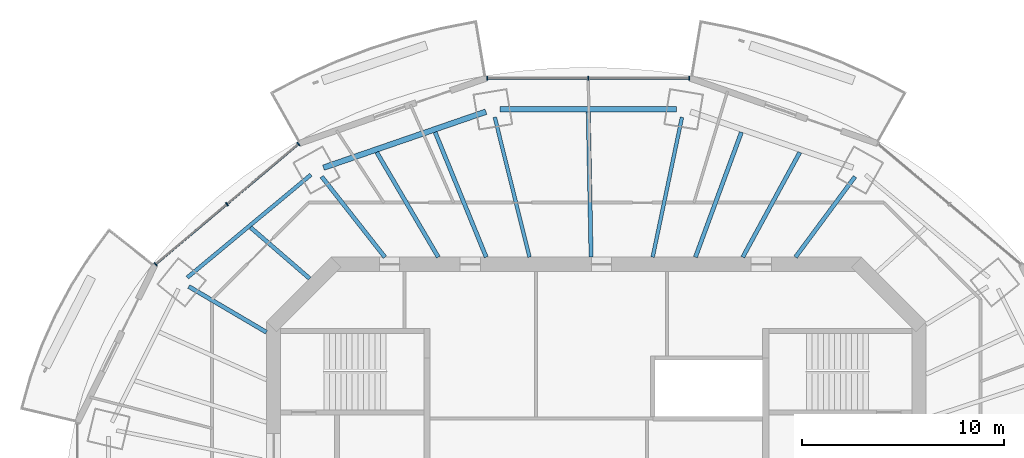
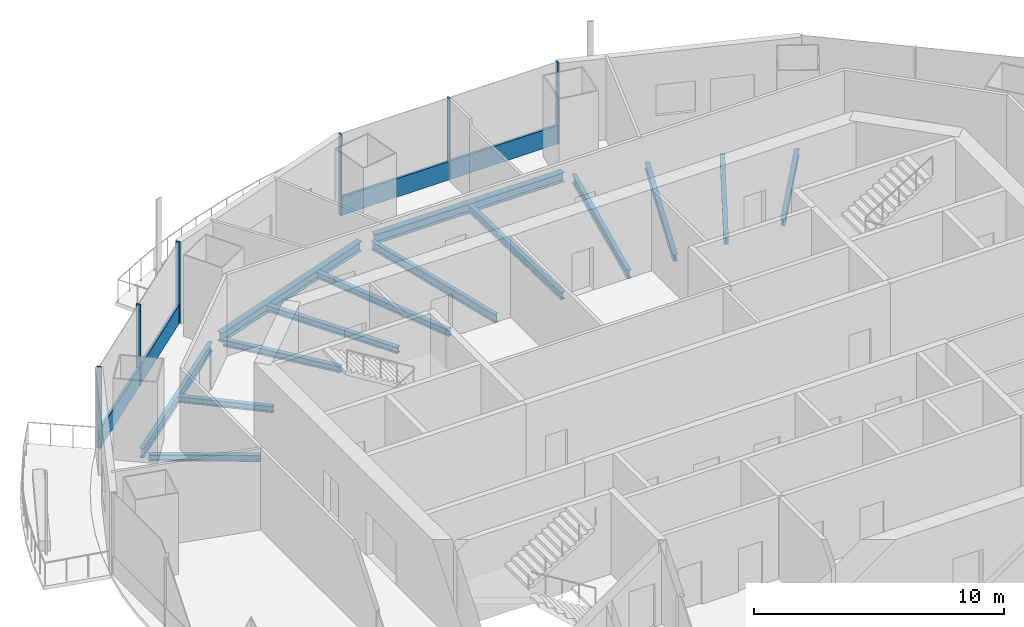
# One storey, part 5 of 16: 14 beams, 8 members, 2 elements without a shape of their own.
"""IFC4 building model written with IfcOpenShell, lengths in metres."""

from ifc_helpers import new_model, si_unit, direction, frame, origin, origin_2d, place, context, subcontext, project, spatial, rectangle, i_section, extrude, material, material_profile, profile_set, type_object, element, aggregate, save


model = new_model("IFC4")

# Units and contexts
model_context = context("Model", 3, precision=1e-05, world=origin(), true_north=direction((0.0, 1.0)))
body_context = subcontext(model_context, "Body", "Model", "MODEL_VIEW")
ifc_project = project(units=[si_unit("LENGTHUNIT", "METRE"), si_unit("AREAUNIT", "SQUARE_METRE"), si_unit("VOLUMEUNIT", "CUBIC_METRE"), si_unit("PLANEANGLEUNIT", "RADIAN"), si_unit("MASSUNIT", "GRAM", prefix="KILO")], contexts=[model_context])

# Site, building, storey
site_placement = place(None, origin())
site = spatial("IfcSite", under=ifc_project, at=site_placement, CompositionType="ELEMENT")
building_placement = place(site_placement, origin())
building = spatial("IfcBuilding", under=site, at=building_placement, Name="Marenthal Gate Tower", CompositionType="ELEMENT")
storey_placement = place(building_placement, frame((0.0, 0.0, 375.800048828125)))
storey = spatial("IfcBuildingStorey", under=building, at=storey_placement, Name="L85", CompositionType="ELEMENT", Elevation=375.800048828125)

# Curtain wall, members
ifc_material_1 = material(Name="Aluminium and glass", Category="aluminium")
curtain_wall_type = type_object("IfcCurtainWallType", Name="Curtain wall typical high", PredefinedType="NOTDEFINED", material=ifc_material_1)
curtain_wall_1_placement = place(storey_placement, origin())
curtain_wall_1 = element("IfcCurtainWall", 1, at=curtain_wall_1_placement, inside=storey, type_object=curtain_wall_type, Name="Curtain wall L85 bay 4", PredefinedType="NOTDEFINED")
ifc_material_2 = material(Name="Aluminium", Category="aluminium")
ifc_material_profile_1 = material_profile(ifc_material_2, rectangle(XDim=0.199951171875, YDim=0.06005859375, at=origin_2d()), Name="60x200 aluminium mullion")
ifc_profile_set_1 = profile_set([ifc_material_profile_1], Name="Aluminium")
member_type_1 = type_object("IfcMemberType", Name="Mullion 60x200 typical high", PredefinedType="MULLION", material=ifc_profile_set_1)
member_1_placement = place(storey_placement, frame((4.607666015625, 22.227294921875, 0.0), z_axis=(0.0, 0.0, 1.0), x_axis=(0.0, -1.0, 0.0)))
member_1 = element("IfcMember", 2, at=member_1_placement, type_object=member_type_1, Name="Mullion L85 bay 4.1", PredefinedType="MULLION", context=body_context, shape_type="SweptSolid", body=[
    extrude(rectangle(XDim=0.199951171875, YDim=0.06005859375, at=origin_2d()), origin(), (0.0, 0.0, 1.0), 3.969970703125),
])
member_2_placement = place(storey_placement, frame((-0.39990234375, 22.227294921875, 0.0), z_axis=(0.0, 0.0, 1.0), x_axis=(0.0, -1.0, 0.0)))
member_2 = element("IfcMember", 3, at=member_2_placement, type_object=member_type_1, Name="Mullion L85 bay 4.2", PredefinedType="MULLION", context=body_context, shape_type="SweptSolid", body=[
    extrude(rectangle(XDim=0.199951171875, YDim=0.06005859375, at=origin_2d()), origin(), (0.0, 0.0, 1.0), 3.969970703125),
])
member_3_placement = place(storey_placement, frame((-5.40771484375, 22.227294921875, 0.0), z_axis=(0.0, 0.0, 1.0), x_axis=(0.0, -1.0, 0.0)))
member_3 = element("IfcMember", 4, at=member_3_placement, type_object=member_type_1, Name="Mullion L85 bay 4.3", PredefinedType="MULLION", context=body_context, shape_type="SweptSolid", body=[
    extrude(rectangle(XDim=0.199951171875, YDim=0.06005859375, at=origin_2d()), origin(), (0.0, 0.0, 1.0), 3.969970703125),
])

curtain_wall_2_placement = place(storey_placement, origin())
curtain_wall_2 = element("IfcCurtainWall", 5, at=curtain_wall_2_placement, inside=storey, type_object=curtain_wall_type, Name="Curtain wall L85 bay 6", PredefinedType="NOTDEFINED")
member_4_placement = place(storey_placement, frame((-14.768798828125, 18.9609375, 0.0), z_axis=(0.0, 0.0, 1.0), x_axis=(0.64413508453, -0.764911754961, 0.0)))
member_4 = element("IfcMember", 6, at=member_4_placement, type_object=member_type_1, Name="Mullion L85 bay 6.1", PredefinedType="MULLION", context=body_context, shape_type="SweptSolid", body=[
    extrude(rectangle(XDim=0.199951171875, YDim=0.06005859375, at=origin_2d()), origin(), (0.0, 0.0, 1.0), 3.969970703125),
])
member_5_placement = place(storey_placement, frame((-18.30810546875, 15.980712890625, 0.0), z_axis=(0.0, 0.0, 1.0), x_axis=(0.64413508453, -0.764911754961, 0.0)))
member_5 = element("IfcMember", 7, at=member_5_placement, type_object=member_type_1, Name="Mullion L85 bay 6.2", PredefinedType="MULLION", context=body_context, shape_type="SweptSolid", body=[
    extrude(rectangle(XDim=0.199951171875, YDim=0.06005859375, at=origin_2d()), origin(), (0.0, 0.0, 1.0), 3.969970703125),
])
member_6_placement = place(storey_placement, frame((-21.84716796875, 13.000244140625, 0.0), z_axis=(0.0, 0.0, 1.0), x_axis=(0.64413508453, -0.764911754961, 0.0)))
member_6 = element("IfcMember", 8, at=member_6_placement, type_object=member_type_1, Name="Mullion L85 bay 6.3", PredefinedType="MULLION", context=body_context, shape_type="SweptSolid", body=[
    extrude(rectangle(XDim=0.199951171875, YDim=0.06005859375, at=origin_2d()), origin(), (0.0, 0.0, 1.0), 3.969970703125),
])

# Member
ifc_material_3 = material(Name="Aluminium", Category="aluminium")
ifc_material_profile_2 = material_profile(ifc_material_3, rectangle(XDim=0.1201171875, YDim=0.89990234375, at=origin_2d()), Name="120x900 aluminium transom")
ifc_profile_set_2 = profile_set([ifc_material_profile_2], Name="Aluminium")
member_type_2 = type_object("IfcMemberType", Name="Transom 120x900 typical high", PredefinedType="USERDEFINED", material=ifc_profile_set_2)
member_7_placement = place(storey_placement, frame((4.57763671875, 22.227294921875, 0.449951171875), z_axis=(-1.0, 0.0, 0.0), x_axis=(0.0, -1.0, 0.0)))
member_7 = element("IfcMember", 9, at=member_7_placement, type_object=member_type_2, Name="Transom L85 bay 4", ObjectType="TRANSOM", PredefinedType="USERDEFINED", context=body_context, shape_type="SweptSolid", body=[
    extrude(rectangle(XDim=0.1201171875, YDim=0.89990234375, at=origin_2d()), origin(), (0.0, 0.0, 1.0), 9.955322265625),
])

aggregate(curtain_wall_1, [member_1, member_2, member_3, member_7])

member_8_placement = place(storey_placement, frame((-14.791748046875, 18.941650390625, 0.449951171875), z_axis=(-0.764909132267, -0.644138198972, 0.0), x_axis=(0.644138198972, -0.764909132267, 0.0)))
member_8 = element("IfcMember", 10, at=member_8_placement, type_object=member_type_2, Name="Transom L85 bay 6", ObjectType="TRANSOM", PredefinedType="USERDEFINED", context=body_context, shape_type="SweptSolid", body=[
    extrude(rectangle(XDim=0.1201171875, YDim=0.89990234375, at=origin_2d()), origin(), (0.0, 0.0, 1.0), 9.19384765625),
])

aggregate(curtain_wall_2, [member_4, member_5, member_6, member_8])

# Beams
ifc_material_4 = material(Name="Steel S355", Category="steel")
ifc_material_profile_3 = material_profile(ifc_material_4, i_section(OverallWidth=0.202880859375, OverallDepth=0.302001953125, WebThickness=0.007568359375, FlangeThickness=0.01318359375, FilletRadius=0.0126953125, at=origin_2d()), Name="W310X60")
ifc_profile_set_3 = profile_set([ifc_material_profile_3], Name="Steel S355")
beam_type_1 = type_object("IfcBeamType", Name="W310X60 beam", PredefinedType="BEAM", material=ifc_profile_set_3)
beam_1_placement = place(storey_placement, frame((10.087646484375, 18.5458984375, -0.3310546875), z_axis=(-0.477822243246, -0.878456546369, 0.0), x_axis=(0.878456546369, -0.477822243246, 0.0)))
element("IfcBeam", 11, at=beam_1_placement, inside=storey, type_object=beam_type_1, Name="BM-L85-20", PredefinedType="BEAM", context=body_context, shape_type="SweptSolid", body=[
    extrude(i_section(OverallWidth=0.202880859375, OverallDepth=0.302001953125, WebThickness=0.007568359375, FlangeThickness=0.01318359375, FilletRadius=0.0126953125, at=origin_2d()), origin(), (0.0, 0.0, 1.0), 5.914794921875),
])
beam_2_placement = place(storey_placement, frame((-17.13916015625, 14.821533203125, -0.3310546875), z_axis=(0.756412035056, -0.654095431281, 0.0), x_axis=(0.654095431281, 0.756412035056, 0.0)))
element("IfcBeam", 12, at=beam_2_placement, inside=storey, type_object=beam_type_1, Name="BM-L85-25", PredefinedType="BEAM", context=body_context, shape_type="SweptSolid", body=[
    extrude(i_section(OverallWidth=0.202880859375, OverallDepth=0.302001953125, WebThickness=0.007568359375, FlangeThickness=0.01318359375, FilletRadius=0.0126953125, at=origin_2d()), origin(), (0.0, 0.0, 1.0), 3.875),
])
ifc_material_5 = material(Name="Steel S355", Category="steel")
ifc_material_profile_4 = material_profile(ifc_material_5, i_section(OverallWidth=0.205078125, OverallDepth=0.31005859375, WebThickness=0.009521484375, FlangeThickness=0.016357421875, FilletRadius=0.0126953125, at=origin_2d()), Name="W310X74")
ifc_profile_set_4 = profile_set([ifc_material_profile_4], Name="Steel S355")
beam_type_2 = type_object("IfcBeamType", Name="W310X74 beam", PredefinedType="BEAM", material=ifc_profile_set_4)
beam_3_placement = place(storey_placement, frame((12.82568359375, 17.3388671875, -0.3349609375), z_axis=(-0.594712000132, -0.80393882659, 0.0), x_axis=(0.80393882659, -0.594712000132, 0.0)))
element("IfcBeam", 13, at=beam_3_placement, inside=storey, type_object=beam_type_2, Name="BM-L85-03", PredefinedType="BEAM", context=body_context, shape_type="SweptSolid", body=[
    extrude(i_section(OverallWidth=0.205078125, OverallDepth=0.31005859375, WebThickness=0.009521484375, FlangeThickness=0.016357421875, FilletRadius=0.0126953125, at=origin_2d()), origin(), (0.0, 0.0, 1.0), 4.96142578125),
])
beam_4_placement = place(storey_placement, frame((-13.614013671875, 17.343017578125, -0.3349609375), z_axis=(0.617483772251, -0.786583619844, 0.0), x_axis=(0.786583619844, 0.617483772251, 0.0)))
element("IfcBeam", 14, at=beam_4_placement, inside=storey, type_object=beam_type_2, Name="BM-L85-06", PredefinedType="BEAM", context=body_context, shape_type="SweptSolid", body=[
    extrude(i_section(OverallWidth=0.205078125, OverallDepth=0.31005859375, WebThickness=0.009521484375, FlangeThickness=0.016357421875, FilletRadius=0.0126953125, at=origin_2d()), origin(), (0.0, 0.0, 1.0), 5.076171875),
])
beam_5_placement = place(storey_placement, frame((-20.20361328125, 11.8955078125, -0.3349609375), z_axis=(0.86171238828, -0.507397043631, 0.0), x_axis=(0.507397043631, 0.86171238828, 0.0)))
element("IfcBeam", 15, at=beam_5_placement, inside=storey, type_object=beam_type_2, Name="BM-L85-07", PredefinedType="BEAM", context=body_context, shape_type="SweptSolid", body=[
    extrude(i_section(OverallWidth=0.205078125, OverallDepth=0.31005859375, WebThickness=0.009521484375, FlangeThickness=0.016357421875, FilletRadius=0.0126953125, at=origin_2d()), origin(), (0.0, 0.0, 1.0), 4.471923828125),
])
beam_6_placement = place(storey_placement, frame((7.194091796875, 19.54296875, -0.3349609375), z_axis=(-0.345465326996, -0.938431514733, 0.0), x_axis=(0.938431514733, -0.345465326996, 0.0)))
element("IfcBeam", 16, at=beam_6_placement, inside=storey, type_object=beam_type_2, Name="BM-L85-21", PredefinedType="BEAM", context=body_context, shape_type="SweptSolid", body=[
    extrude(i_section(OverallWidth=0.205078125, OverallDepth=0.31005859375, WebThickness=0.009521484375, FlangeThickness=0.016357421875, FilletRadius=0.0126953125, at=origin_2d()), origin(), (0.0, 0.0, 1.0), 6.59912109375),
])
beam_7_placement = place(storey_placement, frame((-7.989501953125, 19.544677734375, -0.3349609375), z_axis=(0.378387082032, -0.92564745781, 0.0), x_axis=(0.92564745781, 0.378387082032, 0.0)))
element("IfcBeam", 17, at=beam_7_placement, inside=storey, type_object=beam_type_2, Name="BM-L85-23", PredefinedType="BEAM", context=body_context, shape_type="SweptSolid", body=[
    extrude(i_section(OverallWidth=0.205078125, OverallDepth=0.31005859375, WebThickness=0.009521484375, FlangeThickness=0.016357421875, FilletRadius=0.0126953125, at=origin_2d()), origin(), (0.0, 0.0, 1.0), 6.692138671875),
])
beam_8_placement = place(storey_placement, frame((-10.88330078125, 18.547607421875, -0.3349609375), z_axis=(0.506088552067, -0.862481522971, 0.0), x_axis=(0.862481522971, 0.506088552067, 0.0)))
element("IfcBeam", 18, at=beam_8_placement, inside=storey, type_object=beam_type_2, Name="BM-L85-24", PredefinedType="BEAM", context=body_context, shape_type="SweptSolid", body=[
    extrude(i_section(OverallWidth=0.205078125, OverallDepth=0.31005859375, WebThickness=0.009521484375, FlangeThickness=0.016357421875, FilletRadius=0.0126953125, at=origin_2d()), origin(), (0.0, 0.0, 1.0), 6.026123046875),
])
ifc_material_6 = material(Name="Steel S355", Category="steel")
ifc_material_profile_5 = material_profile(ifc_material_6, i_section(OverallWidth=0.205078125, OverallDepth=0.35302734375, WebThickness=0.009521484375, FlangeThickness=0.016845703125, FilletRadius=0.014892578125, at=origin_2d()), Name="W360X79")
ifc_profile_set_5 = profile_set([ifc_material_profile_5], Name="Steel S355")
beam_type_3 = type_object("IfcBeamType", Name="W360X79 beam", PredefinedType="BEAM", material=ifc_profile_set_5)
beam_9_placement = place(storey_placement, frame((-0.397216796875, 20.5380859375, -0.3564453125), z_axis=(0.019322524597, -0.999813302594, 0.0), x_axis=(0.999813302594, 0.019322524597, 0.0)))
element("IfcBeam", 19, at=beam_9_placement, inside=storey, type_object=beam_type_3, Name="BM-L85-22", PredefinedType="BEAM", context=body_context, shape_type="SweptSolid", body=[
    extrude(i_section(OverallWidth=0.205078125, OverallDepth=0.35302734375, WebThickness=0.009521484375, FlangeThickness=0.016845703125, FilletRadius=0.014892578125, at=origin_2d()), origin(), (0.0, 0.0, 1.0), 7.189208984375),
])
ifc_material_7 = material(Name="Steel S355", Category="steel")
ifc_material_profile_6 = material_profile(ifc_material_7, i_section(OverallWidth=0.180908203125, OverallDepth=0.4169921875, WebThickness=0.010986328125, FlangeThickness=0.018310546875, FilletRadius=0.01025390625, at=origin_2d()), Name="W410X85")
ifc_profile_set_6 = profile_set([ifc_material_profile_6], Name="Steel S355")
beam_type_4 = type_object("IfcBeamType", Name="W410X85 beam", PredefinedType="BEAM", material=ifc_profile_set_6)
beam_10_placement = place(storey_placement, frame((4.247314453125, 20.28515625, -0.388427734375), z_axis=(-0.204947598704, -0.978772947003, 0.0), x_axis=(0.978772947003, -0.204947598704, 0.0)))
element("IfcBeam", 20, at=beam_10_placement, inside=storey, type_object=beam_type_4, Name="BM-L85-04", PredefinedType="BEAM", context=body_context, shape_type="SweptSolid", body=[
    extrude(i_section(OverallWidth=0.180908203125, OverallDepth=0.4169921875, WebThickness=0.010986328125, FlangeThickness=0.018310546875, FilletRadius=0.01025390625, at=origin_2d()), origin(), (0.0, 0.0, 1.0), 7.08544921875),
])
beam_11_placement = place(storey_placement, frame((-5.032470703125, 20.28662109375, -0.388427734375), z_axis=(0.240766886846, -0.970582972341, 0.0), x_axis=(0.970582972341, 0.240766886846, 0.0)))
element("IfcBeam", 21, at=beam_11_placement, inside=storey, type_object=beam_type_4, Name="BM-L85-05", PredefinedType="BEAM", context=body_context, shape_type="SweptSolid", body=[
    extrude(i_section(OverallWidth=0.180908203125, OverallDepth=0.4169921875, WebThickness=0.010986328125, FlangeThickness=0.018310546875, FilletRadius=0.01025390625, at=origin_2d()), origin(), (0.0, 0.0, 1.0), 7.146728515625),
])
ifc_material_8 = material(Name="Steel S355", Category="steel")
ifc_material_profile_7 = material_profile(ifc_material_8, i_section(OverallWidth=0.279052734375, OverallDepth=0.4619140625, WebThickness=0.0107421875, FlangeThickness=0.017333984375, FilletRadius=0.010009765625, at=origin_2d()), Name="W460X113")
ifc_profile_set_7 = profile_set([ifc_material_profile_7], Name="Steel S355")
beam_type_5 = type_object("IfcBeamType", Name="W460X113 beam", PredefinedType="BEAM", material=ifc_profile_set_7)
beam_12_placement = place(storey_placement, frame((3.9677734375, 20.677490234375, -0.4111328125), z_axis=(-1.0, 0.0, 0.0), x_axis=(0.0, -1.0, 0.0)))
element("IfcBeam", 22, at=beam_12_placement, inside=storey, type_object=beam_type_5, Name="BM-L85-42", PredefinedType="BEAM", context=body_context, shape_type="SweptSolid", body=[
    extrude(i_section(OverallWidth=0.279052734375, OverallDepth=0.4619140625, WebThickness=0.0107421875, FlangeThickness=0.017333984375, FilletRadius=0.010009765625, at=origin_2d()), origin(), (0.0, 0.0, 1.0), 8.735595703125),
])
beam_13_placement = place(storey_placement, frame((-5.4716796875, 20.5595703125, -0.4111328125), z_axis=(-0.945453672433, -0.325756585939, 0.0), x_axis=(0.325756585939, -0.945453672433, 0.0)))
element("IfcBeam", 23, at=beam_13_placement, inside=storey, type_object=beam_type_5, Name="BM-L85-43", PredefinedType="BEAM", context=body_context, shape_type="SweptSolid", body=[
    extrude(i_section(OverallWidth=0.279052734375, OverallDepth=0.4619140625, WebThickness=0.0107421875, FlangeThickness=0.017333984375, FilletRadius=0.010009765625, at=origin_2d()), origin(), (0.0, 0.0, 1.0), 8.517578125),
])
ifc_material_9 = material(Name="Steel S355", Category="steel")
ifc_material_profile_8 = material_profile(ifc_material_9, i_section(OverallWidth=0.19091796875, OverallDepth=0.45703125, WebThickness=0.009033203125, FlangeThickness=0.014404296875, FilletRadius=0.01025390625, at=origin_2d()), Name="W460X74")
ifc_profile_set_8 = profile_set([ifc_material_profile_8], Name="Steel S355")
beam_type_6 = type_object("IfcBeamType", Name="W460X74 beam", PredefinedType="BEAM", material=ifc_profile_set_8)
beam_14_placement = place(storey_placement, frame((-14.148681640625, 17.43310546875, -0.408447265625), z_axis=(-0.76879863702, -0.639490934819, 0.0), x_axis=(0.639490934819, -0.76879863702, 0.0)))
element("IfcBeam", 24, at=beam_14_placement, inside=storey, type_object=beam_type_6, Name="BM-L85-44", PredefinedType="BEAM", context=body_context, shape_type="SweptSolid", body=[
    extrude(i_section(OverallWidth=0.19091796875, OverallDepth=0.45703125, WebThickness=0.009033203125, FlangeThickness=0.014404296875, FilletRadius=0.01025390625, at=origin_2d()), origin(), (0.0, 0.0, 1.0), 7.967529296875),
])

save(model, "model.ifc")
